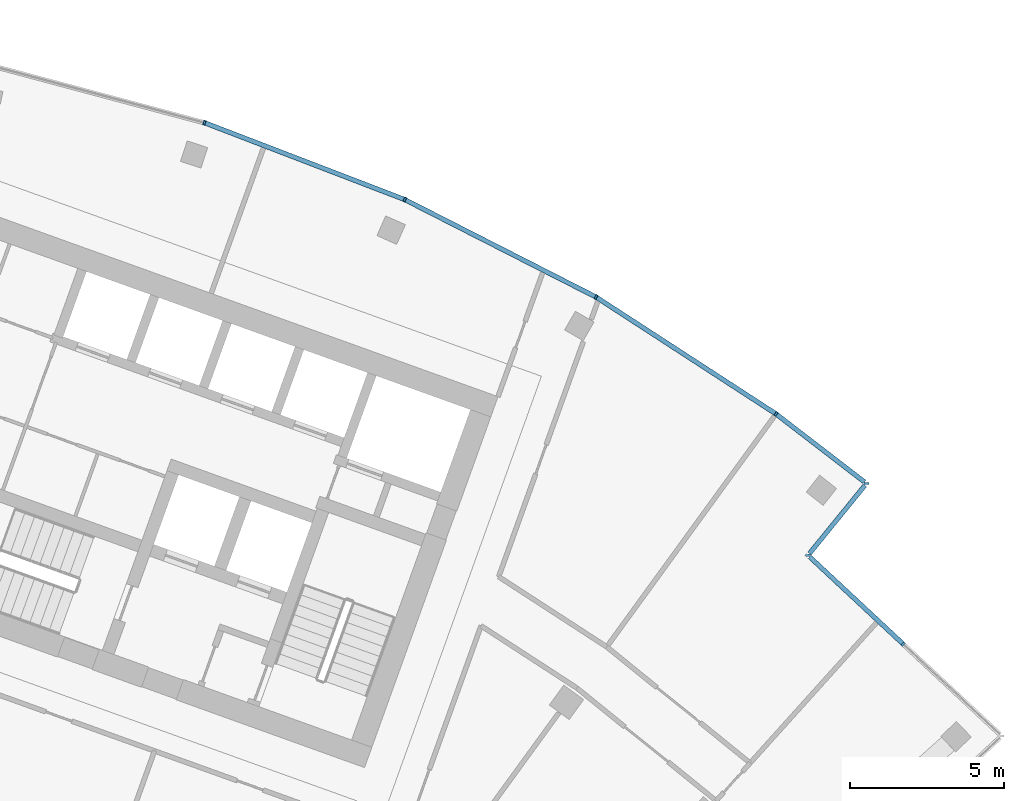
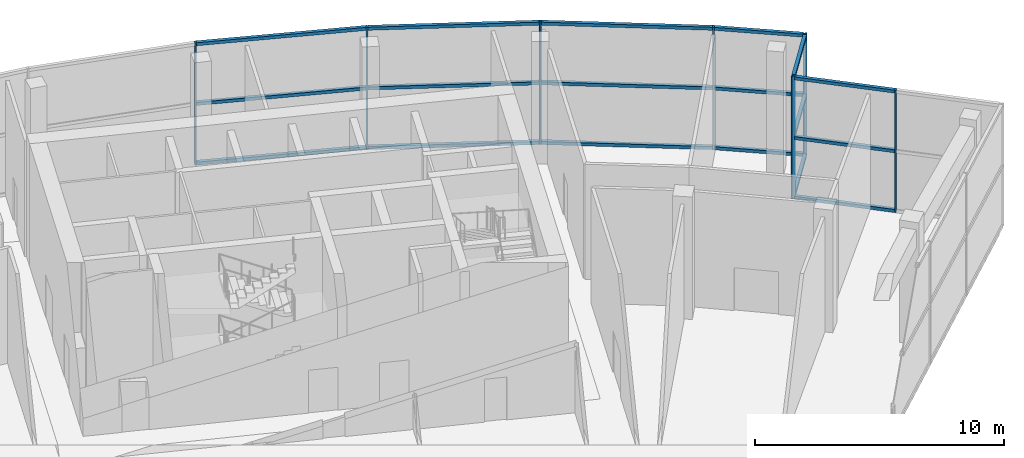
# One storey, part 8 of 18: 25 members, 3 elements without a shape of their own.
"""IFC4 building model written with IfcOpenShell, lengths in metres."""

from ifc_helpers import new_model, si_unit, direction, frame, origin, origin_2d, place, context, subcontext, project, spatial, rectangle, extrude, material, layer, layer_set, material_profile, profile_set, type_object, element, aggregate, save


model = new_model("IFC4")

# Units and contexts
model_context = context("Model", 3, precision=1e-05, world=origin(), true_north=direction((0.0, 1.0)))
body_context = subcontext(model_context, "Body", "Model", "MODEL_VIEW")
ifc_project = project(units=[si_unit("LENGTHUNIT", "METRE"), si_unit("AREAUNIT", "SQUARE_METRE"), si_unit("VOLUMEUNIT", "CUBIC_METRE"), si_unit("PLANEANGLEUNIT", "RADIAN"), si_unit("MASSUNIT", "GRAM", prefix="KILO")], contexts=[model_context])

# Site, building, storey
site_placement = place(None, origin())
site = spatial("IfcSite", under=ifc_project, at=site_placement, CompositionType="ELEMENT")
building_placement = place(site_placement, origin())
building = spatial("IfcBuilding", under=site, at=building_placement, Name="Stone Belt Terrace Tower", CompositionType="ELEMENT")
storey_placement = place(building_placement, frame((0.0, 0.0, 307.39990234375)))
storey = spatial("IfcBuildingStorey", under=building, at=storey_placement, Name="L75", CompositionType="ELEMENT", Elevation=307.39990234375)

# Curtain wall, member
ifc_material = material(Name="Aluminium 6063-T6 anodised frame", Category="aluminium")
ifc_layer = layer(ifc_material, 0.14990234375)
ifc_layer_set = layer_set([ifc_layer], Name="CW-F observation floor curtain wall")
curtain_wall_type = type_object("IfcCurtainWallType", Name="CW-F observation floor curtain wall", PredefinedType="NOTDEFINED", material=ifc_layer_set)
curtain_wall_1_placement = place(storey_placement, origin())
curtain_wall_1 = element("IfcCurtainWall", 1, at=curtain_wall_1_placement, inside=storey, type_object=curtain_wall_type, Name="CW-F notch face L75", PredefinedType="NOTDEFINED")
ifc_material_profile_1 = material_profile(ifc_material, rectangle(XDim=0.14990234375, YDim=0.070068359375, at=origin_2d()), Name="Aluminium 6063-T6 70x150")
ifc_profile_set_1 = profile_set([ifc_material_profile_1], Name="Aluminium 6063-T6 anodised frame")
member_type_1 = type_object("IfcMemberType", Name="CW-F mullion 70 x 150", PredefinedType="MULLION", material=ifc_profile_set_1)
member_1_placement = place(storey_placement, frame((43.260009765625, 46.388671875, 0.0), z_axis=(0.0, 0.0, 1.0), x_axis=(-0.682013767261, -0.731339333871, 0.0)))
member_1 = element("IfcMember", 2, at=member_1_placement, type_object=member_type_1, Name="CW-F mullion 2", PredefinedType="MULLION", context=body_context, shape_type="SweptSolid", body=[
    extrude(rectangle(XDim=0.14990234375, YDim=0.070068359375, at=origin_2d()), origin(), (0.0, 0.0, 1.0), 6.0),
])

curtain_wall_2_placement = place(storey_placement, origin())
curtain_wall_2 = element("IfcCurtainWall", 3, at=curtain_wall_2_placement, inside=storey, type_object=curtain_wall_type, Name="CW-F notch face L75", PredefinedType="NOTDEFINED")
member_2_placement = place(storey_placement, frame((40.1708984375, 49.269287109375, 0.0), z_axis=(0.0, 0.0, 1.0), x_axis=(-0.997639702696, -0.068666029474, 0.0)))
member_2 = element("IfcMember", 4, at=member_2_placement, type_object=member_type_1, Name="CW-F mullion 1", PredefinedType="MULLION", context=body_context, shape_type="SweptSolid", body=[
    extrude(rectangle(XDim=0.14990234375, YDim=0.070068359375, at=origin_2d()), origin(), (0.0, 0.0, 1.0), 6.0),
])

# Curtain wall, members
curtain_wall_3_placement = place(storey_placement, origin())
curtain_wall_3 = element("IfcCurtainWall", 5, at=curtain_wall_3_placement, inside=storey, type_object=curtain_wall_type, Name="CW-F convex face L75", PredefinedType="NOTDEFINED")
member_3_placement = place(storey_placement, frame((42.068359375, 51.60205078125, 0.0), z_axis=(0.0, 0.0, 1.0), x_axis=(-0.993258004644, -0.115924700604, 0.0)))
member_3 = element("IfcMember", 6, at=member_3_placement, type_object=member_type_1, Name="CW-F mullion 1", PredefinedType="MULLION", context=body_context, shape_type="SweptSolid", body=[
    extrude(rectangle(XDim=0.14990234375, YDim=0.070068359375, at=origin_2d()), origin(), (0.0, 0.0, 1.0), 6.0),
])
member_4_placement = place(storey_placement, frame((39.131103515625, 53.86083984375, 0.0), z_axis=(0.0, 0.0, 1.0), x_axis=(-0.577587125789, -0.816329046477, 0.0)))
member_4 = element("IfcMember", 7, at=member_4_placement, type_object=member_type_1, Name="CW-F mullion 2", PredefinedType="MULLION", context=body_context, shape_type="SweptSolid", body=[
    extrude(rectangle(XDim=0.14990234375, YDim=0.070068359375, at=origin_2d()), origin(), (0.0, 0.0, 1.0), 6.0),
])
member_5_placement = place(storey_placement, frame((33.28759765625, 57.65576171875, 0.0), z_axis=(0.0, 0.0, 1.0), x_axis=(-0.5, -0.866025403784, 0.0)))
member_5 = element("IfcMember", 8, at=member_5_placement, type_object=member_type_1, Name="CW-F mullion 3", PredefinedType="MULLION", context=body_context, shape_type="SweptSolid", body=[
    extrude(rectangle(XDim=0.14990234375, YDim=0.070068359375, at=origin_2d()), origin(), (0.0, 0.0, 1.0), 6.0),
])
member_6_placement = place(storey_placement, frame((27.07861328125, 60.8193359375, 0.0), z_axis=(0.0, 0.0, 1.0), x_axis=(-0.406736643076, -0.913545457643, 0.0)))
member_6 = element("IfcMember", 9, at=member_6_placement, type_object=member_type_1, Name="CW-F mullion 4", PredefinedType="MULLION", context=body_context, shape_type="SweptSolid", body=[
    extrude(rectangle(XDim=0.14990234375, YDim=0.070068359375, at=origin_2d()), origin(), (0.0, 0.0, 1.0), 6.0),
])
member_7_placement = place(storey_placement, frame((20.57275390625, 63.316650390625, 0.0), z_axis=(0.0, 0.0, 1.0), x_axis=(-0.309016994375, -0.951056516295, 0.0)))
member_7 = element("IfcMember", 10, at=member_7_placement, type_object=member_type_1, Name="CW-F mullion 5", PredefinedType="MULLION", context=body_context, shape_type="SweptSolid", body=[
    extrude(rectangle(XDim=0.14990234375, YDim=0.070068359375, at=origin_2d()), origin(), (0.0, 0.0, 1.0), 6.0),
])

# Member
ifc_material_profile_2 = material_profile(ifc_material, rectangle(XDim=0.14990234375, YDim=0.14990234375, at=origin_2d()), Name="Aluminium 6063-T6 150x150")
ifc_profile_set_2 = profile_set([ifc_material_profile_2], Name="Aluminium 6063-T6 anodised frame")
member_type_2 = type_object("IfcMemberType", Name="CW-F transom 150 x 150", PredefinedType="USERDEFINED", material=ifc_profile_set_2)
member_8_placement = place(storey_placement, frame((43.234375, 46.41259765625, 0.0751953125), z_axis=(-0.731375048623, 0.681975467485, 0.0), x_axis=(-0.681975467485, -0.731375048623, 0.0)))
member_8 = element("IfcMember", 11, at=member_8_placement, type_object=member_type_2, Name="CW-F transom 2.1", ObjectType="TRANSOM", PredefinedType="USERDEFINED", context=body_context, shape_type="SweptSolid", body=[
    extrude(rectangle(XDim=0.14990234375, YDim=0.14990234375, at=origin_2d()), origin(), (0.0, 0.0, 1.0), 4.11181640625),
])

member_9_placement = place(storey_placement, frame((43.234375, 46.41259765625, 3.0), z_axis=(-0.731375048623, 0.681975467485, 0.0), x_axis=(-0.681975467485, -0.731375048623, 0.0)))
member_9 = element("IfcMember", 12, at=member_9_placement, type_object=member_type_2, Name="CW-F transom 2.2", ObjectType="TRANSOM", PredefinedType="USERDEFINED", context=body_context, shape_type="SweptSolid", body=[
    extrude(rectangle(XDim=0.14990234375, YDim=0.14990234375, at=origin_2d()), origin(), (0.0, 0.0, 1.0), 4.11181640625),
])

member_10_placement = place(storey_placement, frame((43.234375, 46.41259765625, 5.925048828125), z_axis=(-0.731375048623, 0.681975467485, 0.0), x_axis=(-0.681975467485, -0.731375048623, 0.0)))
member_10 = element("IfcMember", 13, at=member_10_placement, type_object=member_type_2, Name="CW-F transom 2.3", ObjectType="TRANSOM", PredefinedType="USERDEFINED", context=body_context, shape_type="SweptSolid", body=[
    extrude(rectangle(XDim=0.14990234375, YDim=0.14990234375, at=origin_2d()), origin(), (0.0, 0.0, 1.0), 4.11181640625),
])

aggregate(curtain_wall_1, [member_1, member_8, member_9, member_10])

member_11_placement = place(storey_placement, frame((40.219482421875, 49.328857421875, 0.0751953125), z_axis=(0.631011505473, 0.775773472066, 0.0), x_axis=(-0.775773472066, 0.631011505473, 0.0)))
member_11 = element("IfcMember", 14, at=member_11_placement, type_object=member_type_2, Name="CW-F transom 1.1", ObjectType="TRANSOM", PredefinedType="USERDEFINED", context=body_context, shape_type="SweptSolid", body=[
    extrude(rectangle(XDim=0.14990234375, YDim=0.14990234375, at=origin_2d()), origin(), (0.0, 0.0, 1.0), 2.851806640625),
])

member_12_placement = place(storey_placement, frame((40.219482421875, 49.328857421875, 3.0), z_axis=(0.631011505473, 0.775773472066, 0.0), x_axis=(-0.775773472066, 0.631011505473, 0.0)))
member_12 = element("IfcMember", 15, at=member_12_placement, type_object=member_type_2, Name="CW-F transom 1.2", ObjectType="TRANSOM", PredefinedType="USERDEFINED", context=body_context, shape_type="SweptSolid", body=[
    extrude(rectangle(XDim=0.14990234375, YDim=0.14990234375, at=origin_2d()), origin(), (0.0, 0.0, 1.0), 2.851806640625),
])

member_13_placement = place(storey_placement, frame((40.219482421875, 49.328857421875, 5.925048828125), z_axis=(0.631011505473, 0.775773472066, 0.0), x_axis=(-0.775773472066, 0.631011505473, 0.0)))
member_13 = element("IfcMember", 16, at=member_13_placement, type_object=member_type_2, Name="CW-F transom 1.3", ObjectType="TRANSOM", PredefinedType="USERDEFINED", context=body_context, shape_type="SweptSolid", body=[
    extrude(rectangle(XDim=0.14990234375, YDim=0.14990234375, at=origin_2d()), origin(), (0.0, 0.0, 1.0), 2.851806640625),
])

aggregate(curtain_wall_2, [member_2, member_11, member_12, member_13])

member_14_placement = place(storey_placement, frame((42.00634765625, 51.649658203125, 0.0751953125), z_axis=(-0.792709954988, 0.609598988896, 0.0), x_axis=(-0.609598988896, -0.792709954988, 0.0)))
member_14 = element("IfcMember", 17, at=member_14_placement, type_object=member_type_2, Name="CW-F transom 1.1", ObjectType="TRANSOM", PredefinedType="USERDEFINED", context=body_context, shape_type="SweptSolid", body=[
    extrude(rectangle(XDim=0.14990234375, YDim=0.14990234375, at=origin_2d()), origin(), (0.0, 0.0, 1.0), 3.589111328125),
])

member_15_placement = place(storey_placement, frame((42.00634765625, 51.649658203125, 3.0), z_axis=(-0.792709954988, 0.609598988896, 0.0), x_axis=(-0.609598988896, -0.792709954988, 0.0)))
member_15 = element("IfcMember", 18, at=member_15_placement, type_object=member_type_2, Name="CW-F transom 1.2", ObjectType="TRANSOM", PredefinedType="USERDEFINED", context=body_context, shape_type="SweptSolid", body=[
    extrude(rectangle(XDim=0.14990234375, YDim=0.14990234375, at=origin_2d()), origin(), (0.0, 0.0, 1.0), 3.589111328125),
])

member_16_placement = place(storey_placement, frame((42.00634765625, 51.649658203125, 5.925048828125), z_axis=(-0.792709954988, 0.609598988896, 0.0), x_axis=(-0.609598988896, -0.792709954988, 0.0)))
member_16 = element("IfcMember", 19, at=member_16_placement, type_object=member_type_2, Name="CW-F transom 1.3", ObjectType="TRANSOM", PredefinedType="USERDEFINED", context=body_context, shape_type="SweptSolid", body=[
    extrude(rectangle(XDim=0.14990234375, YDim=0.14990234375, at=origin_2d()), origin(), (0.0, 0.0, 1.0), 3.589111328125),
])

member_17_placement = place(storey_placement, frame((39.09912109375, 53.881591796875, 0.0751953125), z_axis=(-0.838672625504, 0.54463586664, 0.0), x_axis=(-0.54463586664, -0.838672625504, 0.0)))
member_17 = element("IfcMember", 20, at=member_17_placement, type_object=member_type_2, Name="CW-F transom 2.1", ObjectType="TRANSOM", PredefinedType="USERDEFINED", context=body_context, shape_type="SweptSolid", body=[
    extrude(rectangle(XDim=0.14990234375, YDim=0.14990234375, at=origin_2d()), origin(), (0.0, 0.0, 1.0), 6.890625),
])

member_18_placement = place(storey_placement, frame((39.09912109375, 53.881591796875, 3.0), z_axis=(-0.838672625504, 0.54463586664, 0.0), x_axis=(-0.54463586664, -0.838672625504, 0.0)))
member_18 = element("IfcMember", 21, at=member_18_placement, type_object=member_type_2, Name="CW-F transom 2.2", ObjectType="TRANSOM", PredefinedType="USERDEFINED", context=body_context, shape_type="SweptSolid", body=[
    extrude(rectangle(XDim=0.14990234375, YDim=0.14990234375, at=origin_2d()), origin(), (0.0, 0.0, 1.0), 6.890625),
])

member_19_placement = place(storey_placement, frame((39.09912109375, 53.881591796875, 5.925048828125), z_axis=(-0.838672625504, 0.54463586664, 0.0), x_axis=(-0.54463586664, -0.838672625504, 0.0)))
member_19 = element("IfcMember", 22, at=member_19_placement, type_object=member_type_2, Name="CW-F transom 2.3", ObjectType="TRANSOM", PredefinedType="USERDEFINED", context=body_context, shape_type="SweptSolid", body=[
    extrude(rectangle(XDim=0.14990234375, YDim=0.14990234375, at=origin_2d()), origin(), (0.0, 0.0, 1.0), 6.890625),
])

member_20_placement = place(storey_placement, frame((33.2529296875, 57.67333984375, 0.0751953125), z_axis=(-0.891000017498, 0.454003269613, 0.0), x_axis=(-0.454003269613, -0.891000017498, 0.0)))
member_20 = element("IfcMember", 23, at=member_20_placement, type_object=member_type_2, Name="CW-F transom 3.1", ObjectType="TRANSOM", PredefinedType="USERDEFINED", context=body_context, shape_type="SweptSolid", body=[
    extrude(rectangle(XDim=0.14990234375, YDim=0.14990234375, at=origin_2d()), origin(), (0.0, 0.0, 1.0), 6.890625),
])

member_21_placement = place(storey_placement, frame((33.2529296875, 57.67333984375, 3.0), z_axis=(-0.891000017498, 0.454003269613, 0.0), x_axis=(-0.454003269613, -0.891000017498, 0.0)))
member_21 = element("IfcMember", 24, at=member_21_placement, type_object=member_type_2, Name="CW-F transom 3.2", ObjectType="TRANSOM", PredefinedType="USERDEFINED", context=body_context, shape_type="SweptSolid", body=[
    extrude(rectangle(XDim=0.14990234375, YDim=0.14990234375, at=origin_2d()), origin(), (0.0, 0.0, 1.0), 6.890625),
])

member_22_placement = place(storey_placement, frame((33.2529296875, 57.67333984375, 5.925048828125), z_axis=(-0.891000017498, 0.454003269613, 0.0), x_axis=(-0.454003269613, -0.891000017498, 0.0)))
member_22 = element("IfcMember", 25, at=member_22_placement, type_object=member_type_2, Name="CW-F transom 3.3", ObjectType="TRANSOM", PredefinedType="USERDEFINED", context=body_context, shape_type="SweptSolid", body=[
    extrude(rectangle(XDim=0.14990234375, YDim=0.14990234375, at=origin_2d()), origin(), (0.0, 0.0, 1.0), 6.890625),
])

member_23_placement = place(storey_placement, frame((27.042236328125, 60.833251953125, 0.0751953125), z_axis=(-0.933578261099, 0.358373590551, 0.0), x_axis=(-0.358373590551, -0.933578261099, 0.0)))
member_23 = element("IfcMember", 26, at=member_23_placement, type_object=member_type_2, Name="CW-F transom 4.1", ObjectType="TRANSOM", PredefinedType="USERDEFINED", context=body_context, shape_type="SweptSolid", body=[
    extrude(rectangle(XDim=0.14990234375, YDim=0.14990234375, at=origin_2d()), origin(), (0.0, 0.0, 1.0), 6.890869140625),
])

member_24_placement = place(storey_placement, frame((27.042236328125, 60.833251953125, 3.0), z_axis=(-0.933578261099, 0.358373590551, 0.0), x_axis=(-0.358373590551, -0.933578261099, 0.0)))
member_24 = element("IfcMember", 27, at=member_24_placement, type_object=member_type_2, Name="CW-F transom 4.2", ObjectType="TRANSOM", PredefinedType="USERDEFINED", context=body_context, shape_type="SweptSolid", body=[
    extrude(rectangle(XDim=0.14990234375, YDim=0.14990234375, at=origin_2d()), origin(), (0.0, 0.0, 1.0), 6.890869140625),
])

member_25_placement = place(storey_placement, frame((27.042236328125, 60.833251953125, 5.925048828125), z_axis=(-0.933578261099, 0.358373590551, 0.0), x_axis=(-0.358373590551, -0.933578261099, 0.0)))
member_25 = element("IfcMember", 28, at=member_25_placement, type_object=member_type_2, Name="CW-F transom 4.3", ObjectType="TRANSOM", PredefinedType="USERDEFINED", context=body_context, shape_type="SweptSolid", body=[
    extrude(rectangle(XDim=0.14990234375, YDim=0.14990234375, at=origin_2d()), origin(), (0.0, 0.0, 1.0), 6.890869140625),
])

aggregate(curtain_wall_3, [member_3, member_4, member_5, member_6, member_7, member_14, member_15, member_16, member_17, member_18, member_19, member_20, member_21, member_22, member_23, member_24, member_25])

save(model, "model.ifc")
